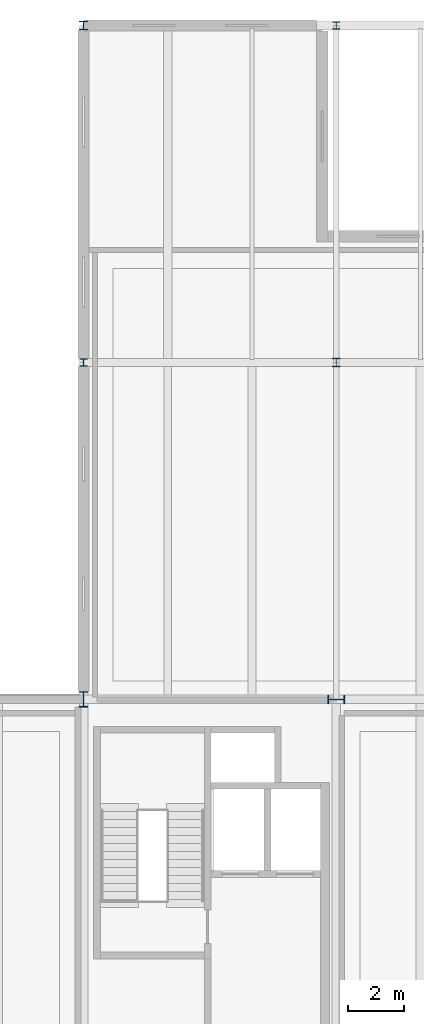
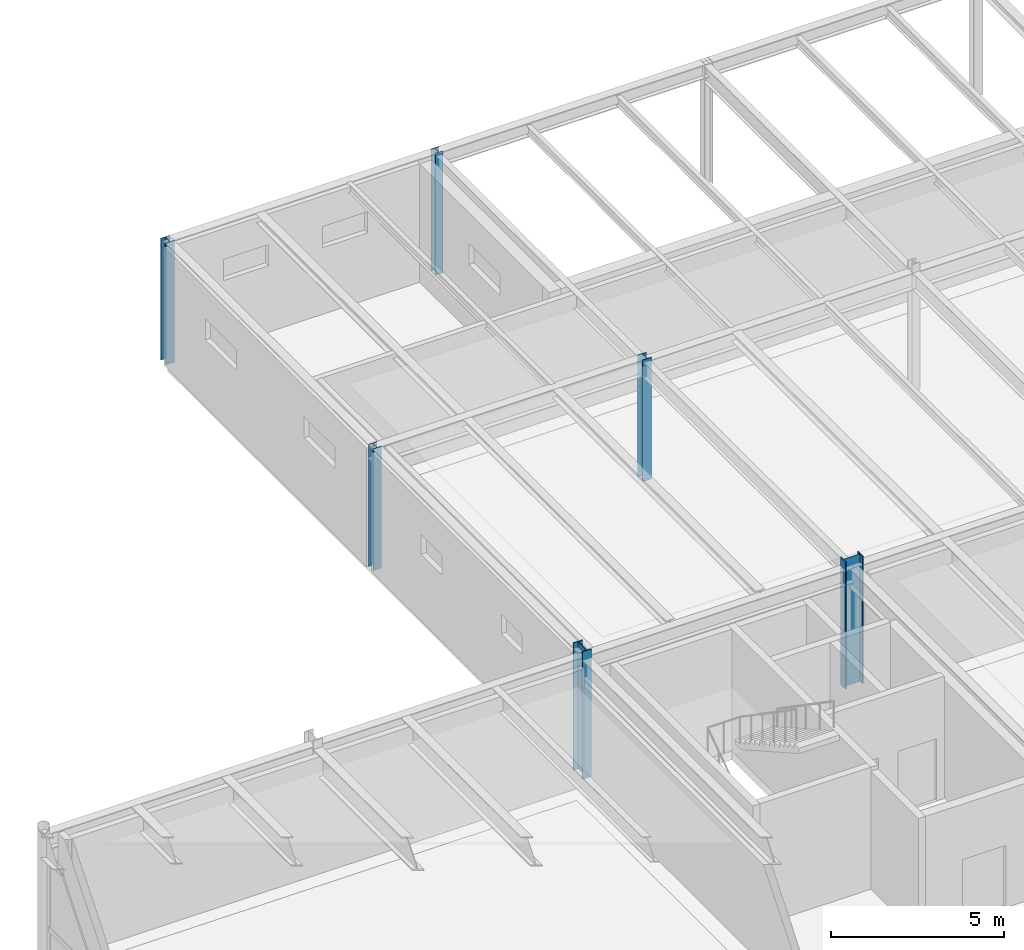
# One storey, part 15 of 127: 6 columns.
"""IFC4 building model written with IfcOpenShell, lengths in metres."""

from ifc_helpers import new_model, si_unit, direction, frame, origin, origin_2d, place, context, subcontext, project, spatial, i_section, extrude, material, material_profile, profile_set, type_object, element, save


model = new_model("IFC4")

# Units and contexts
model_context = context("Model", 3, precision=1e-05, world=origin(), true_north=direction((0.0, 1.0)))
body_context = subcontext(model_context, "Body", "Model", "MODEL_VIEW")
ifc_project = project(units=[si_unit("LENGTHUNIT", "METRE"), si_unit("AREAUNIT", "SQUARE_METRE"), si_unit("VOLUMEUNIT", "CUBIC_METRE"), si_unit("PLANEANGLEUNIT", "RADIAN"), si_unit("MASSUNIT", "GRAM", prefix="KILO")], contexts=[model_context])

# Site, building, storey
site_placement = place(None, origin())
site = spatial("IfcSite", under=ifc_project, at=site_placement, CompositionType="ELEMENT")
building_placement = place(site_placement, origin())
building = spatial("IfcBuilding", under=site, at=building_placement, Name="Montelvaro Courts of Justice", CompositionType="ELEMENT")
storey_placement = place(building_placement, frame((0.0, 0.0, 5.39990234375)))
storey = spatial("IfcBuildingStorey", under=building, at=storey_placement, Name="L01", CompositionType="ELEMENT", Elevation=5.39990234375)

# Columns
ifc_material = material(Name="Steel S355", Category="steel")
ifc_material_profile_1 = material_profile(ifc_material, i_section(OverallWidth=0.260009765625, OverallDepth=0.260009765625, WebThickness=0.010009765625, FlangeThickness=0.017578125, at=origin_2d()), Name="HEB 260")
ifc_profile_set_1 = profile_set([ifc_material_profile_1], Name="Steel S355")
column_type_1 = type_object("IfcColumnType", Name="Col_HEB260", PredefinedType="COLUMN", material=ifc_profile_set_1)
column_1_placement = place(storey_placement, frame((126.0, 120.0, 0.0), z_axis=(0.0, 0.0, 1.0), x_axis=(1.0, 0.0, 0.0)))
element("IfcColumn", 1, at=column_1_placement, inside=storey, type_object=column_type_1, Name="Column C-01 L01 15/J", PredefinedType="COLUMN", context=body_context, shape_type="SweptSolid", body=[
    extrude(i_section(OverallWidth=0.260009765625, OverallDepth=0.260009765625, WebThickness=0.010009765625, FlangeThickness=0.017578125, at=origin_2d()), origin(), (0.0, 0.0, 1.0), 4.300048828125),
])
ifc_material_profile_2 = material_profile(ifc_material, i_section(OverallWidth=0.280029296875, OverallDepth=0.280029296875, WebThickness=0.010498046875, FlangeThickness=0.01806640625, at=origin_2d()), Name="HEB 280")
ifc_profile_set_2 = profile_set([ifc_material_profile_2], Name="Steel S355")
column_type_2 = type_object("IfcColumnType", Name="Col_HEB280", PredefinedType="COLUMN", material=ifc_profile_set_2)
column_2_placement = place(storey_placement, frame((117.0, 108.0, 0.0), z_axis=(0.0, 0.0, 1.0), x_axis=(1.0, 0.0, 0.0)))
element("IfcColumn", 2, at=column_2_placement, inside=storey, type_object=column_type_2, Name="Column C-02 L01 14/I", PredefinedType="COLUMN", context=body_context, shape_type="SweptSolid", body=[
    extrude(i_section(OverallWidth=0.280029296875, OverallDepth=0.280029296875, WebThickness=0.010498046875, FlangeThickness=0.01806640625, at=origin_2d()), origin(), (0.0, 0.0, 1.0), 4.300048828125),
])
ifc_material_profile_3 = material_profile(ifc_material, i_section(OverallWidth=0.300048828125, OverallDepth=0.300048828125, WebThickness=0.010986328125, FlangeThickness=0.01904296875, at=origin_2d()), Name="HEB 300")
ifc_profile_set_3 = profile_set([ifc_material_profile_3], Name="Steel S355")
column_type_3 = type_object("IfcColumnType", Name="Col_HEB300", PredefinedType="COLUMN", material=ifc_profile_set_3)
for number, where, z_axis, x_axis, name in (
    (3, (117.0, 120.0, 0.0), (0.0, 0.0, 1.0), (1.0, 0.0, 0.0), "Column C-03 L01 14/J"),
    (4, (126.0, 108.0, 0.0), (0.0, 0.0, 1.0), (1.0, 0.0, 0.0), "Column C-03 L01 15/I"),
):
    element("IfcColumn", number, at=place(storey_placement, frame(where, z_axis=z_axis, x_axis=x_axis)), inside=storey, type_object=column_type_3, Name=name, PredefinedType="COLUMN", context=body_context, shape_type="SweptSolid", body=[
        extrude(i_section(OverallWidth=0.300048828125, OverallDepth=0.300048828125, WebThickness=0.010986328125, FlangeThickness=0.01904296875, at=origin_2d()), origin(), (0.0, 0.0, 1.0), 4.300048828125),
    ])
ifc_material_profile_4 = material_profile(ifc_material, i_section(OverallWidth=0.300048828125, OverallDepth=0.550048828125, WebThickness=0.014892578125, FlangeThickness=0.029052734375, at=origin_2d()), Name="HEB 550")
ifc_profile_set_4 = profile_set([ifc_material_profile_4], Name="Steel S355")
column_type_4 = type_object("IfcColumnType", Name="Col_HEB550", PredefinedType="COLUMN", material=ifc_profile_set_4)
column_3_placement = place(storey_placement, frame((117.0, 96.0, 0.0), z_axis=(0.0, 0.0, 1.0), x_axis=(1.0, 0.0, 0.0)))
element("IfcColumn", 5, at=column_3_placement, inside=storey, type_object=column_type_4, Name="Column C-10 L01 14/H", PredefinedType="COLUMN", context=body_context, shape_type="SweptSolid", body=[
    extrude(i_section(OverallWidth=0.300048828125, OverallDepth=0.550048828125, WebThickness=0.014892578125, FlangeThickness=0.029052734375, at=origin_2d()), origin(), (0.0, 0.0, 1.0), 4.5),
])
ifc_material_profile_5 = material_profile(ifc_material, i_section(OverallWidth=0.300048828125, OverallDepth=0.60009765625, WebThickness=0.015380859375, FlangeThickness=0.030029296875, at=origin_2d()), Name="HEB 600")
ifc_profile_set_5 = profile_set([ifc_material_profile_5], Name="Steel S355")
column_type_5 = type_object("IfcColumnType", Name="Col_HEB600", PredefinedType="COLUMN", material=ifc_profile_set_5)
column_4_placement = place(storey_placement, frame((126.0, 96.0, 0.0), z_axis=(0.0, 0.0, 1.0), x_axis=(0.0, 1.0, 0.0)))
element("IfcColumn", 6, at=column_4_placement, inside=storey, type_object=column_type_5, Name="Column C-11 L01 15/H", PredefinedType="COLUMN", context=body_context, shape_type="SweptSolid", body=[
    extrude(i_section(OverallWidth=0.300048828125, OverallDepth=0.60009765625, WebThickness=0.015380859375, FlangeThickness=0.030029296875, at=origin_2d()), origin(), (0.0, 0.0, 1.0), 4.5),
])

save(model, "model.ifc")
